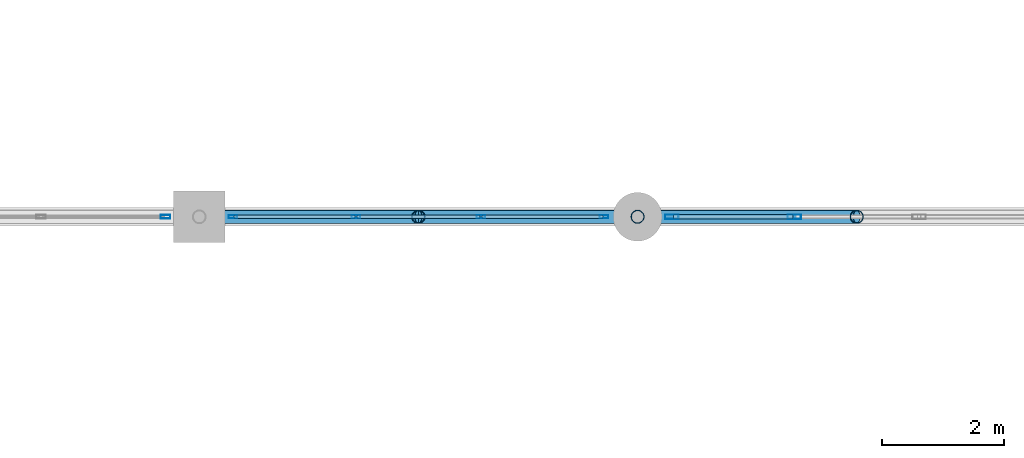
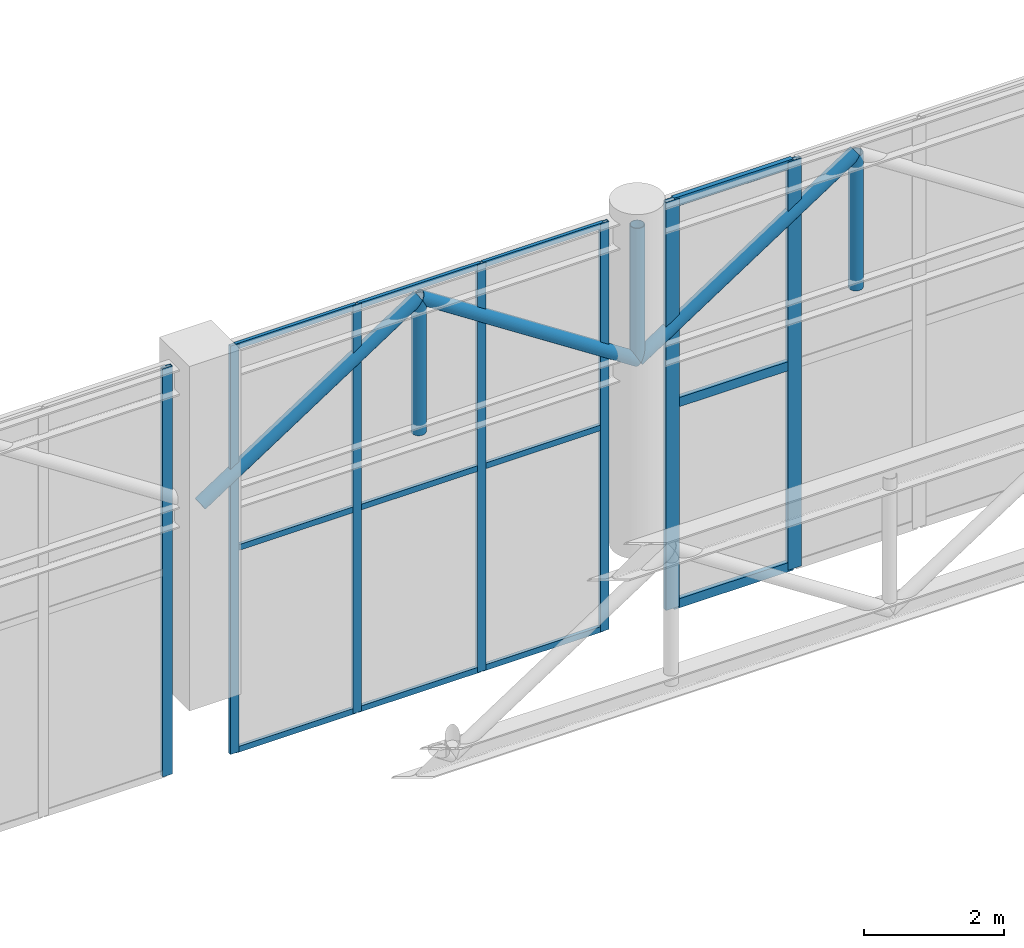
# One storey, part 99 of 153: 25 members, 3 elements without a shape of their own.
"""IFC4 building model written with IfcOpenShell, lengths in metres."""

from ifc_helpers import new_model, si_unit, direction, frame, origin, origin_2d, place, context, subcontext, project, spatial, hollow_rectangle, hollow_circle, extrude, material, material_profile, profile_set, type_object, element, aggregate, save


model = new_model("IFC4")

# Units and contexts
model_context = context("Model", 3, precision=1e-05, world=origin(), true_north=direction((0.0, 1.0)))
body_context = subcontext(model_context, "Body", "Model", "MODEL_VIEW")
ifc_project = project(units=[si_unit("LENGTHUNIT", "METRE"), si_unit("AREAUNIT", "SQUARE_METRE"), si_unit("VOLUMEUNIT", "CUBIC_METRE"), si_unit("PLANEANGLEUNIT", "RADIAN"), si_unit("MASSUNIT", "GRAM", prefix="KILO")], contexts=[model_context])

# Site, building, storey
site_placement = place(None, origin())
site = spatial("IfcSite", under=ifc_project, at=site_placement, CompositionType="ELEMENT")
building_placement = place(site_placement, origin())
building = spatial("IfcBuilding", under=site, at=building_placement, Name="Qandorah Velis Arena", CompositionType="ELEMENT")
storey_placement = place(building_placement, frame((0.0, 0.0, 5.39990234375)))
storey = spatial("IfcBuildingStorey", under=building, at=storey_placement, Name="L01", CompositionType="ELEMENT", Elevation=5.39990234375)

# Curtain wall, members
ifc_material_1 = material(Name="Solar-control low-E double glazing", Category="glass")
curtain_wall_type_1 = type_object("IfcCurtainWallType", Name="ARC-CW-SYS16", PredefinedType="USERDEFINED", material=ifc_material_1)
curtain_wall_1_placement = place(storey_placement, origin())
curtain_wall_1 = element("IfcCurtainWall", 1, at=curtain_wall_1_placement, inside=storey, type_object=curtain_wall_type_1, Name="Unitised curtain wall L01-160", ObjectType="UNITISED CURTAIN WALL", PredefinedType="USERDEFINED")
ifc_material_2 = material(Name="Champagne-bronze anodized aluminium 6063-T6", Category="aluminium")
ifc_material_profile_1 = material_profile(ifc_material_2, hollow_rectangle(XDim=0.054931640625, YDim=0.139892578125, WallThickness=0.0029296875, at=origin_2d()), Name="ALU MULLION 55x140")
ifc_profile_set_1 = profile_set([ifc_material_profile_1], Name="Champagne-bronze anodized aluminium 6063-T6")
member_type_1 = type_object("IfcMemberType", Name="ARC-CWM-140", PredefinedType="MULLION", material=ifc_profile_set_1)
member_1_placement = place(storey_placement, frame((130.152587890625, 122.39990234375, -1.31494140625), z_axis=(0.0, 0.0, 1.0), x_axis=(0.0, 1.0, 0.0)))
member_1 = element("IfcMember", 2, at=member_1_placement, type_object=member_type_1, Name="CW16 mullion 1", PredefinedType="MULLION", context=body_context, shape_type="SweptSolid", body=[
    extrude(hollow_rectangle(XDim=0.054931640625, YDim=0.139892578125, WallThickness=0.0029296875, at=origin_2d()), origin(), (0.0, 0.0, 1.0), 7.110107421875),
])
member_2_placement = place(storey_placement, frame((132.175048828125, 122.39990234375, -1.31494140625), z_axis=(0.0, 0.0, 1.0), x_axis=(0.0, 1.0, 0.0)))
member_2 = element("IfcMember", 3, at=member_2_placement, type_object=member_type_1, Name="CW16 mullion 2", PredefinedType="MULLION", context=body_context, shape_type="SweptSolid", body=[
    extrude(hollow_rectangle(XDim=0.054931640625, YDim=0.139892578125, WallThickness=0.0029296875, at=origin_2d()), origin(), (0.0, 0.0, 1.0), 7.110107421875),
])
member_3_placement = place(storey_placement, frame((134.22509765625, 122.39990234375, -1.31494140625), z_axis=(0.0, 0.0, 1.0), x_axis=(0.0, 1.0, 0.0)))
member_3 = element("IfcMember", 4, at=member_3_placement, type_object=member_type_1, Name="CW16 mullion 3", PredefinedType="MULLION", context=body_context, shape_type="SweptSolid", body=[
    extrude(hollow_rectangle(XDim=0.054931640625, YDim=0.139892578125, WallThickness=0.0029296875, at=origin_2d()), origin(), (0.0, 0.0, 1.0), 7.110107421875),
])
member_4_placement = place(storey_placement, frame((136.24755859375, 122.39990234375, -1.31494140625), z_axis=(0.0, 0.0, 1.0), x_axis=(0.0, 1.0, 0.0)))
member_4 = element("IfcMember", 5, at=member_4_placement, type_object=member_type_1, Name="CW16 mullion 4", PredefinedType="MULLION", context=body_context, shape_type="SweptSolid", body=[
    extrude(hollow_rectangle(XDim=0.054931640625, YDim=0.139892578125, WallThickness=0.0029296875, at=origin_2d()), origin(), (0.0, 0.0, 1.0), 7.110107421875),
])

# Curtain wall, member
curtain_wall_type_2 = type_object("IfcCurtainWallType", Name="ARC-CW-SYS15", PredefinedType="USERDEFINED", material=ifc_material_1)
curtain_wall_2_placement = place(storey_placement, origin())
curtain_wall_2 = element("IfcCurtainWall", 6, at=curtain_wall_2_placement, inside=storey, type_object=curtain_wall_type_2, Name="Unitised curtain wall L01-159", ObjectType="UNITISED CURTAIN WALL", PredefinedType="USERDEFINED")
ifc_material_profile_2 = material_profile(ifc_material_2, hollow_rectangle(XDim=0.06005859375, YDim=0.159912109375, WallThickness=0.00341796875, at=origin_2d()), Name="ALU MULLION 60x160")
ifc_profile_set_2 = profile_set([ifc_material_profile_2], Name="Champagne-bronze anodized aluminium 6063-T6")
member_type_2 = type_object("IfcMemberType", Name="ARC-CWM-160", PredefinedType="MULLION", material=ifc_profile_set_2)
member_5_placement = place(storey_placement, frame((129.044921875, 122.39990234375, -1.31494140625), z_axis=(0.0, 0.0, 1.0), x_axis=(0.0, 1.0, 0.0)))
member_5 = element("IfcMember", 7, at=member_5_placement, type_object=member_type_2, Name="CW15 mullion 4", PredefinedType="MULLION", context=body_context, shape_type="SweptSolid", body=[
    extrude(hollow_rectangle(XDim=0.06005859375, YDim=0.159912109375, WallThickness=0.00341796875, at=origin_2d()), origin(), (0.0, 0.0, 1.0), 7.110107421875),
])
aggregate(curtain_wall_2, [member_5])

# Curtain wall, members
curtain_wall_type_3 = type_object("IfcCurtainWallType", Name="ARC-CW-SYS17", PredefinedType="USERDEFINED", material=ifc_material_1)
curtain_wall_3_placement = place(storey_placement, origin())
curtain_wall_3 = element("IfcCurtainWall", 8, at=curtain_wall_3_placement, inside=storey, type_object=curtain_wall_type_3, Name="Unitised curtain wall L01-161", ObjectType="UNITISED CURTAIN WALL", PredefinedType="USERDEFINED")
ifc_material_profile_3 = material_profile(ifc_material_2, hollow_rectangle(XDim=0.074951171875, YDim=0.219970703125, WallThickness=0.00390625, at=origin_2d()), Name="ALU MULLION 75x220")
ifc_profile_set_3 = profile_set([ifc_material_profile_3], Name="Champagne-bronze anodized aluminium 6063-T6")
member_type_3 = type_object("IfcMemberType", Name="ARC-CWM-220", PredefinedType="MULLION", material=ifc_profile_set_3)
member_6_placement = place(storey_placement, frame((137.362548828125, 122.39990234375, -1.31494140625), z_axis=(0.0, 0.0, 1.0), x_axis=(0.0, 1.0, 0.0)))
member_6 = element("IfcMember", 9, at=member_6_placement, type_object=member_type_3, Name="CW17 mullion 1", PredefinedType="MULLION", context=body_context, shape_type="SweptSolid", body=[
    extrude(hollow_rectangle(XDim=0.074951171875, YDim=0.219970703125, WallThickness=0.00390625, at=origin_2d()), origin(), (0.0, 0.0, 1.0), 7.110107421875),
])
member_7_placement = place(storey_placement, frame((139.375, 122.39990234375, -1.31494140625), z_axis=(0.0, 0.0, 1.0), x_axis=(0.0, 1.0, 0.0)))
member_7 = element("IfcMember", 10, at=member_7_placement, type_object=member_type_3, Name="CW17 mullion 2", PredefinedType="MULLION", context=body_context, shape_type="SweptSolid", body=[
    extrude(hollow_rectangle(XDim=0.074951171875, YDim=0.219970703125, WallThickness=0.00390625, at=origin_2d()), origin(), (0.0, 0.0, 1.0), 7.110107421875),
])

# Member
ifc_material_profile_4 = material_profile(ifc_material_2, hollow_rectangle(XDim=0.054931640625, YDim=0.10009765625, WallThickness=0.0029296875, at=origin_2d()), Name="ALU TRANSOM 55x100")
ifc_profile_set_4 = profile_set([ifc_material_profile_4], Name="Champagne-bronze anodized aluminium 6063-T6")
member_type_4 = type_object("IfcMemberType", Name="ARC-CWT-100", PredefinedType="USERDEFINED", material=ifc_profile_set_4)
member_8_placement = place(storey_placement, frame((130.16796875, 122.39990234375, -1.2724609375), z_axis=(1.0, 0.0, 0.0), x_axis=(0.0, 1.0, 0.0)))
member_8 = element("IfcMember", 11, at=member_8_placement, type_object=member_type_4, Name="CW16 transom 1.1", ObjectType="TRANSOM", PredefinedType="USERDEFINED", context=body_context, shape_type="SweptSolid", body=[
    extrude(hollow_rectangle(XDim=0.054931640625, YDim=0.10009765625, WallThickness=0.0029296875, at=origin_2d()), origin(), (0.0, 0.0, 1.0), 1.991455078125),
])

member_9_placement = place(storey_placement, frame((130.16796875, 122.39990234375, 2.239990234375), z_axis=(1.0, 0.0, 0.0), x_axis=(0.0, 1.0, 0.0)))
member_9 = element("IfcMember", 12, at=member_9_placement, type_object=member_type_4, Name="CW16 transom 1.2", ObjectType="TRANSOM", PredefinedType="USERDEFINED", context=body_context, shape_type="SweptSolid", body=[
    extrude(hollow_rectangle(XDim=0.054931640625, YDim=0.10009765625, WallThickness=0.0029296875, at=origin_2d()), origin(), (0.0, 0.0, 1.0), 1.991455078125),
])

member_10_placement = place(storey_placement, frame((130.16796875, 122.39990234375, 5.752685546875), z_axis=(1.0, 0.0, 0.0), x_axis=(0.0, 1.0, 0.0)))
member_10 = element("IfcMember", 13, at=member_10_placement, type_object=member_type_4, Name="CW16 transom 1.3", ObjectType="TRANSOM", PredefinedType="USERDEFINED", context=body_context, shape_type="SweptSolid", body=[
    extrude(hollow_rectangle(XDim=0.054931640625, YDim=0.10009765625, WallThickness=0.0029296875, at=origin_2d()), origin(), (0.0, 0.0, 1.0), 1.991455078125),
])

member_11_placement = place(storey_placement, frame((132.1904296875, 122.39990234375, -1.2724609375), z_axis=(1.0, 0.0, 0.0), x_axis=(0.0, 1.0, 0.0)))
member_11 = element("IfcMember", 14, at=member_11_placement, type_object=member_type_4, Name="CW16 transom 2.1", ObjectType="TRANSOM", PredefinedType="USERDEFINED", context=body_context, shape_type="SweptSolid", body=[
    extrude(hollow_rectangle(XDim=0.054931640625, YDim=0.10009765625, WallThickness=0.0029296875, at=origin_2d()), origin(), (0.0, 0.0, 1.0), 2.01904296875),
])

member_12_placement = place(storey_placement, frame((132.1904296875, 122.39990234375, 2.239990234375), z_axis=(1.0, 0.0, 0.0), x_axis=(0.0, 1.0, 0.0)))
member_12 = element("IfcMember", 15, at=member_12_placement, type_object=member_type_4, Name="CW16 transom 2.2", ObjectType="TRANSOM", PredefinedType="USERDEFINED", context=body_context, shape_type="SweptSolid", body=[
    extrude(hollow_rectangle(XDim=0.054931640625, YDim=0.10009765625, WallThickness=0.0029296875, at=origin_2d()), origin(), (0.0, 0.0, 1.0), 2.01904296875),
])

member_13_placement = place(storey_placement, frame((132.1904296875, 122.39990234375, 5.752685546875), z_axis=(1.0, 0.0, 0.0), x_axis=(0.0, 1.0, 0.0)))
member_13 = element("IfcMember", 16, at=member_13_placement, type_object=member_type_4, Name="CW16 transom 2.3", ObjectType="TRANSOM", PredefinedType="USERDEFINED", context=body_context, shape_type="SweptSolid", body=[
    extrude(hollow_rectangle(XDim=0.054931640625, YDim=0.10009765625, WallThickness=0.0029296875, at=origin_2d()), origin(), (0.0, 0.0, 1.0), 2.01904296875),
])

member_14_placement = place(storey_placement, frame((134.240478515625, 122.39990234375, -1.2724609375), z_axis=(1.0, 0.0, 0.0), x_axis=(0.0, 1.0, 0.0)))
member_14 = element("IfcMember", 17, at=member_14_placement, type_object=member_type_4, Name="CW16 transom 3.1", ObjectType="TRANSOM", PredefinedType="USERDEFINED", context=body_context, shape_type="SweptSolid", body=[
    extrude(hollow_rectangle(XDim=0.054931640625, YDim=0.10009765625, WallThickness=0.0029296875, at=origin_2d()), origin(), (0.0, 0.0, 1.0), 1.991455078125),
])

member_15_placement = place(storey_placement, frame((134.240478515625, 122.39990234375, 2.239990234375), z_axis=(1.0, 0.0, 0.0), x_axis=(0.0, 1.0, 0.0)))
member_15 = element("IfcMember", 18, at=member_15_placement, type_object=member_type_4, Name="CW16 transom 3.2", ObjectType="TRANSOM", PredefinedType="USERDEFINED", context=body_context, shape_type="SweptSolid", body=[
    extrude(hollow_rectangle(XDim=0.054931640625, YDim=0.10009765625, WallThickness=0.0029296875, at=origin_2d()), origin(), (0.0, 0.0, 1.0), 1.991455078125),
])

member_16_placement = place(storey_placement, frame((134.240478515625, 122.39990234375, 5.752685546875), z_axis=(1.0, 0.0, 0.0), x_axis=(0.0, 1.0, 0.0)))
member_16 = element("IfcMember", 19, at=member_16_placement, type_object=member_type_4, Name="CW16 transom 3.3", ObjectType="TRANSOM", PredefinedType="USERDEFINED", context=body_context, shape_type="SweptSolid", body=[
    extrude(hollow_rectangle(XDim=0.054931640625, YDim=0.10009765625, WallThickness=0.0029296875, at=origin_2d()), origin(), (0.0, 0.0, 1.0), 1.991455078125),
])

aggregate(curtain_wall_1, [member_1, member_2, member_3, member_4, member_8, member_9, member_10, member_11, member_12, member_13, member_14, member_15, member_16])

ifc_material_profile_5 = material_profile(ifc_material_2, hollow_rectangle(XDim=0.074951171875, YDim=0.159912109375, WallThickness=0.00341796875, at=origin_2d()), Name="ALU TRANSOM 75x160")
ifc_profile_set_5 = profile_set([ifc_material_profile_5], Name="Champagne-bronze anodized aluminium 6063-T6")
member_type_5 = type_object("IfcMemberType", Name="ARC-CWT-160", PredefinedType="USERDEFINED", material=ifc_profile_set_5)
member_17_placement = place(storey_placement, frame((137.387939453125, 122.39990234375, -1.262451171875), z_axis=(1.0, 0.0, 0.0), x_axis=(0.0, 1.0, 0.0)))
member_17 = element("IfcMember", 20, at=member_17_placement, type_object=member_type_5, Name="CW17 transom 1.1", ObjectType="TRANSOM", PredefinedType="USERDEFINED", context=body_context, shape_type="SweptSolid", body=[
    extrude(hollow_rectangle(XDim=0.074951171875, YDim=0.159912109375, WallThickness=0.00341796875, at=origin_2d()), origin(), (0.0, 0.0, 1.0), 1.961669921875),
])

member_18_placement = place(storey_placement, frame((137.387939453125, 122.39990234375, 2.239990234375), z_axis=(1.0, 0.0, 0.0), x_axis=(0.0, 1.0, 0.0)))
member_18 = element("IfcMember", 21, at=member_18_placement, type_object=member_type_5, Name="CW17 transom 1.2", ObjectType="TRANSOM", PredefinedType="USERDEFINED", context=body_context, shape_type="SweptSolid", body=[
    extrude(hollow_rectangle(XDim=0.074951171875, YDim=0.159912109375, WallThickness=0.00341796875, at=origin_2d()), origin(), (0.0, 0.0, 1.0), 1.961669921875),
])

member_19_placement = place(storey_placement, frame((137.387939453125, 122.39990234375, 5.74267578125), z_axis=(1.0, 0.0, 0.0), x_axis=(0.0, 1.0, 0.0)))
member_19 = element("IfcMember", 22, at=member_19_placement, type_object=member_type_5, Name="CW17 transom 1.3", ObjectType="TRANSOM", PredefinedType="USERDEFINED", context=body_context, shape_type="SweptSolid", body=[
    extrude(hollow_rectangle(XDim=0.074951171875, YDim=0.159912109375, WallThickness=0.00341796875, at=origin_2d()), origin(), (0.0, 0.0, 1.0), 1.961669921875),
])

aggregate(curtain_wall_3, [member_6, member_7, member_17, member_18, member_19])

# Members
ifc_material_3 = material(Name="Steel S355", Category="steel")
ifc_material_profile_6 = material_profile(ifc_material_3, hollow_circle(Radius=0.109619140625, WallThickness=0.010009765625, at=origin_2d()), Name="CHS 219.1x10")
ifc_profile_set_6 = profile_set([ifc_material_profile_6], Name="Steel S355")
member_type_6 = type_object("IfcMemberType", Name="STR-SFD-CHS219X10", PredefinedType="STRUT", material=ifc_profile_set_6)
member_20_placement = place(storey_placement, frame((129.60009765625, 122.39990234375, 3.205078125), z_axis=(0.837358571039, 0.0, 0.54665402542), x_axis=(0.0, 1.0, 0.0)))
element("IfcMember", 23, at=member_20_placement, inside=storey, type_object=member_type_6, Name="Practice court roof truss 5 web diagonal 3", PredefinedType="STRUT", context=body_context, shape_type="SweptSolid", body=[
    extrude(hollow_circle(Radius=0.109619140625, WallThickness=0.010009765625, at=origin_2d()), origin(), (0.0, 0.0, 1.0), 4.299072265625),
])
member_21_placement = place(storey_placement, frame((133.199951171875, 122.39990234375, 3.205078125), z_axis=(0.0, 0.0, 1.0), x_axis=(1.0, 0.0, 0.0)))
element("IfcMember", 24, at=member_21_placement, inside=storey, type_object=member_type_6, Name="Practice court roof truss 5 vertical 4", PredefinedType="STRUT", context=body_context, shape_type="SweptSolid", body=[
    extrude(hollow_circle(Radius=0.109619140625, WallThickness=0.010009765625, at=origin_2d()), origin(), (0.0, 0.0, 1.0), 2.35009765625),
])
member_22_placement = place(storey_placement, frame((133.199951171875, 122.39990234375, 5.55517578125), z_axis=(0.837375540217, 0.0, -0.546628031339), x_axis=(0.0, 1.0, 0.0)))
element("IfcMember", 25, at=member_22_placement, inside=storey, type_object=member_type_6, Name="Practice court roof truss 5 web diagonal 4", PredefinedType="STRUT", context=body_context, shape_type="SweptSolid", body=[
    extrude(hollow_circle(Radius=0.109619140625, WallThickness=0.010009765625, at=origin_2d()), origin(), (0.0, 0.0, 1.0), 4.29931640625),
])
member_23_placement = place(storey_placement, frame((136.800048828125, 122.39990234375, 3.205078125), z_axis=(0.0, 0.0, 1.0), x_axis=(1.0, 0.0, 0.0)))
element("IfcMember", 26, at=member_23_placement, inside=storey, type_object=member_type_6, Name="Practice court roof truss 5 vertical 5", PredefinedType="STRUT", context=body_context, shape_type="SweptSolid", body=[
    extrude(hollow_circle(Radius=0.109619140625, WallThickness=0.010009765625, at=origin_2d()), origin(), (0.0, 0.0, 1.0), 2.35009765625),
])
member_24_placement = place(storey_placement, frame((136.800048828125, 122.39990234375, 3.205078125), z_axis=(0.837358571039, 0.0, 0.54665402542), x_axis=(0.0, 1.0, 0.0)))
element("IfcMember", 27, at=member_24_placement, inside=storey, type_object=member_type_6, Name="Practice court roof truss 5 web diagonal 5", PredefinedType="STRUT", context=body_context, shape_type="SweptSolid", body=[
    extrude(hollow_circle(Radius=0.109619140625, WallThickness=0.010009765625, at=origin_2d()), origin(), (0.0, 0.0, 1.0), 4.299072265625),
])
member_25_placement = place(storey_placement, frame((140.39990234375, 122.39990234375, 3.205078125), z_axis=(0.0, 0.0, 1.0), x_axis=(1.0, 0.0, 0.0)))
element("IfcMember", 28, at=member_25_placement, inside=storey, type_object=member_type_6, Name="Practice court roof truss 5 vertical 6", PredefinedType="STRUT", context=body_context, shape_type="SweptSolid", body=[
    extrude(hollow_circle(Radius=0.109619140625, WallThickness=0.010009765625, at=origin_2d()), origin(), (0.0, 0.0, 1.0), 2.35009765625),
])

save(model, "model.ifc")
